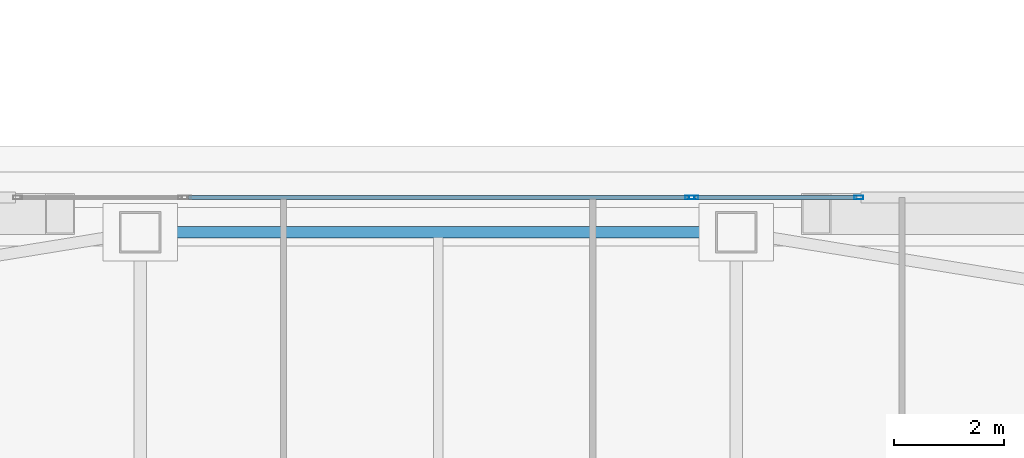
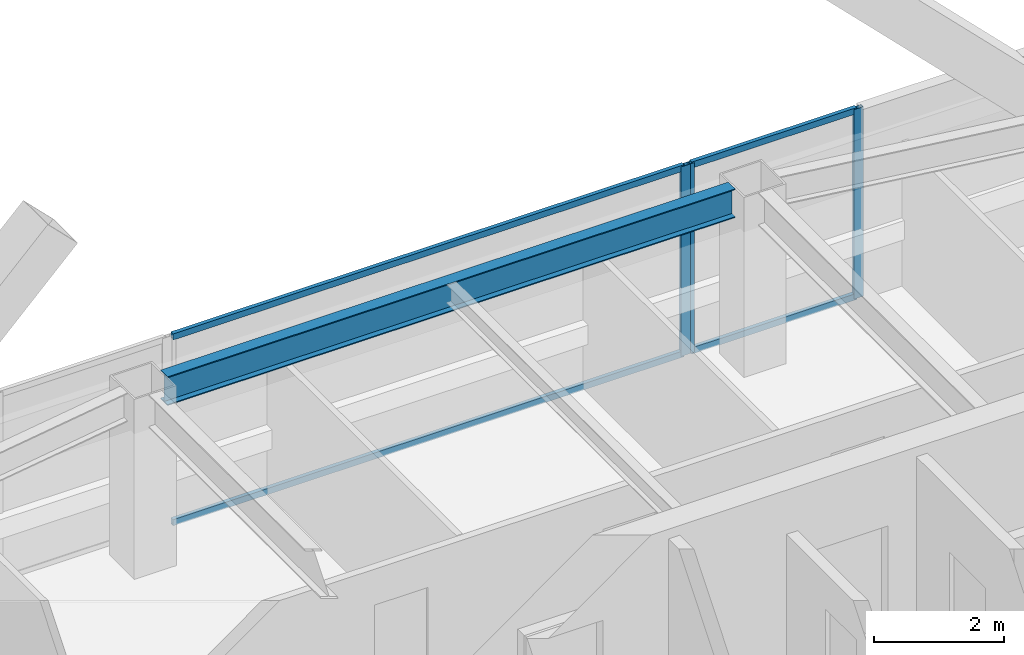
# One storey, part 13 of 39: 7 members, 1 beam, 2 elements without a shape of their own.
"""IFC4 building model written with IfcOpenShell, lengths in metres."""

from ifc_helpers import new_model, si_unit, direction, frame, origin, origin_2d, place, context, subcontext, project, spatial, hollow_rectangle, i_section, extrude, material, material_profile, profile_set, type_object, element, aggregate, save


model = new_model("IFC4")

# Units and contexts
model_context = context("Model", 3, precision=1e-05, world=origin(), true_north=direction((0.0, 1.0)))
body_context = subcontext(model_context, "Body", "Model", "MODEL_VIEW")
ifc_project = project(units=[si_unit("LENGTHUNIT", "METRE"), si_unit("AREAUNIT", "SQUARE_METRE"), si_unit("VOLUMEUNIT", "CUBIC_METRE"), si_unit("PLANEANGLEUNIT", "RADIAN"), si_unit("MASSUNIT", "GRAM", prefix="KILO")], contexts=[model_context])

# Site, building, storey
site_placement = place(None, origin())
site = spatial("IfcSite", under=ifc_project, at=site_placement, CompositionType="ELEMENT")
building_placement = place(site_placement, origin())
building = spatial("IfcBuilding", under=site, at=building_placement, Name="Tashvorn Skyway Center", CompositionType="ELEMENT")
storey_placement = place(building_placement, frame((0.0, 0.0, 232.60009765625)))
storey = spatial("IfcBuildingStorey", under=building, at=storey_placement, Name="L63", CompositionType="ELEMENT", Elevation=232.60009765625)

# Beam
ifc_material_1 = material(Name="Steel ASTM A992 Grade 50", Category="steel")
ifc_material_profile_1 = material_profile(ifc_material_1, i_section(OverallWidth=0.2109375, OverallDepth=0.5390625, WebThickness=0.01171875, FlangeThickness=0.018798828125, at=origin_2d()), Name="W21X73")
ifc_profile_set_1 = profile_set([ifc_material_profile_1], Name="Steel ASTM A992 Grade 50")
beam_type = type_object("IfcBeamType", Name="BM-SPANDREL-W21X73", PredefinedType="SPANDREL", material=ifc_profile_set_1)
beam_placement = place(storey_placement, frame((47.030029296875, 47.050048828125, 3.100341796875), z_axis=(-1.0, 0.0, 0.0), x_axis=(0.0, -1.0, 0.0)))
element("IfcBeam", 1, at=beam_placement, inside=storey, type_object=beam_type, Name="Tower 1 L63 Spandrel Beam 08", PredefinedType="SPANDREL", context=body_context, shape_type="SweptSolid", body=[
    extrude(i_section(OverallWidth=0.2109375, OverallDepth=0.5390625, WebThickness=0.01171875, FlangeThickness=0.018798828125, at=origin_2d()), origin(), (0.0, 0.0, 1.0), 10.06005859375),
])

# Curtain wall, member
ifc_material_2 = material(Name="Thermally broken bronze-anodized aluminium 6063-T6", Category="aluminium")
curtain_wall_type = type_object("IfcCurtainWallType", Name="CW-CW-Z5", PredefinedType="NOTDEFINED", material=ifc_material_2)
curtain_wall_1_placement = place(storey_placement, origin())
curtain_wall_1 = element("IfcCurtainWall", 2, at=curtain_wall_1_placement, inside=storey, type_object=curtain_wall_type, Name="Tower 1 L63 North Unitised Curtain Wall Glazing Group 2", PredefinedType="NOTDEFINED")
ifc_material_profile_2 = material_profile(ifc_material_2, hollow_rectangle(XDim=0.070068359375, YDim=0.1650390625, WallThickness=0.00390625, at=origin_2d()), Name="ALU-MULL-70x165")
ifc_profile_set_2 = profile_set([ifc_material_profile_2], Name="Thermally broken bronze-anodized aluminium 6063-T6")
member_type_1 = type_object("IfcMemberType", Name="CWM-CW-Z5", PredefinedType="MULLION", material=ifc_profile_set_2)
member_1_placement = place(storey_placement, frame((46.558349609375, 47.679931640625, 0.0), z_axis=(0.0, 0.0, 1.0), x_axis=(0.0, 1.0, 0.0)))
member_1 = element("IfcMember", 3, at=member_1_placement, type_object=member_type_1, Name="CW-Z5 mullion 2", PredefinedType="MULLION", context=body_context, shape_type="SweptSolid", body=[
    extrude(hollow_rectangle(XDim=0.070068359375, YDim=0.1650390625, WallThickness=0.00390625, at=origin_2d()), origin(), (0.0, 0.0, 1.0), 3.5498046875),
])

# Curtain wall, members
curtain_wall_2_placement = place(storey_placement, origin())
curtain_wall_2 = element("IfcCurtainWall", 4, at=curtain_wall_2_placement, inside=storey, type_object=curtain_wall_type, Name="Tower 1 L63 North Unitised Curtain Wall Glazing Group 3", PredefinedType="NOTDEFINED")
member_2_placement = place(storey_placement, frame((46.62841796875, 47.679931640625, 0.0), z_axis=(0.0, 0.0, 1.0), x_axis=(0.0, 1.0, 0.0)))
member_2 = element("IfcMember", 5, at=member_2_placement, type_object=member_type_1, Name="CW-Z5 mullion 1", PredefinedType="MULLION", context=body_context, shape_type="SweptSolid", body=[
    extrude(hollow_rectangle(XDim=0.070068359375, YDim=0.1650390625, WallThickness=0.00390625, at=origin_2d()), origin(), (0.0, 0.0, 1.0), 3.5498046875),
])
member_3_placement = place(storey_placement, frame((49.62060546875, 47.679931640625, 0.0), z_axis=(0.0, 0.0, 1.0), x_axis=(0.0, 1.0, 0.0)))
member_3 = element("IfcMember", 6, at=member_3_placement, type_object=member_type_1, Name="CW-Z5 mullion 2", PredefinedType="MULLION", context=body_context, shape_type="SweptSolid", body=[
    extrude(hollow_rectangle(XDim=0.070068359375, YDim=0.1650390625, WallThickness=0.00390625, at=origin_2d()), origin(), (0.0, 0.0, 1.0), 3.5498046875),
])

# Member
ifc_material_profile_3 = material_profile(ifc_material_2, hollow_rectangle(XDim=0.070068359375, YDim=0.114990234375, WallThickness=0.00390625, at=origin_2d()), Name="ALU-TRAN-70x115")
ifc_profile_set_3 = profile_set([ifc_material_profile_3], Name="Thermally broken bronze-anodized aluminium 6063-T6")
member_type_2 = type_object("IfcMemberType", Name="CWT-CW-Z5", PredefinedType="USERDEFINED", material=ifc_profile_set_3)
member_4_placement = place(storey_placement, frame((37.476806640625, 47.679931640625, 0.034912109375), z_axis=(1.0, 0.0, 0.0), x_axis=(0.0, 1.0, 0.0)))
member_4 = element("IfcMember", 7, at=member_4_placement, type_object=member_type_2, Name="CW-Z5 transom 1.1", ObjectType="TRANSOM", PredefinedType="USERDEFINED", context=body_context, shape_type="SweptSolid", body=[
    extrude(hollow_rectangle(XDim=0.070068359375, YDim=0.114990234375, WallThickness=0.00390625, at=origin_2d()), origin(), (0.0, 0.0, 1.0), 9.04638671875),
])

member_5_placement = place(storey_placement, frame((37.476806640625, 47.679931640625, 3.514892578125), z_axis=(1.0, 0.0, 0.0), x_axis=(0.0, 1.0, 0.0)))
member_5 = element("IfcMember", 8, at=member_5_placement, type_object=member_type_2, Name="CW-Z5 transom 1.2", ObjectType="TRANSOM", PredefinedType="USERDEFINED", context=body_context, shape_type="SweptSolid", body=[
    extrude(hollow_rectangle(XDim=0.070068359375, YDim=0.114990234375, WallThickness=0.00390625, at=origin_2d()), origin(), (0.0, 0.0, 1.0), 9.04638671875),
])

aggregate(curtain_wall_1, [member_1, member_4, member_5])

member_6_placement = place(storey_placement, frame((46.663330078125, 47.679931640625, 0.034912109375), z_axis=(1.0, 0.0, 0.0), x_axis=(0.0, 1.0, 0.0)))
member_6 = element("IfcMember", 9, at=member_6_placement, type_object=member_type_2, Name="CW-Z5 transom 1.1", ObjectType="TRANSOM", PredefinedType="USERDEFINED", context=body_context, shape_type="SweptSolid", body=[
    extrude(hollow_rectangle(XDim=0.070068359375, YDim=0.114990234375, WallThickness=0.00390625, at=origin_2d()), origin(), (0.0, 0.0, 1.0), 2.92236328125),
])

member_7_placement = place(storey_placement, frame((46.663330078125, 47.679931640625, 3.514892578125), z_axis=(1.0, 0.0, 0.0), x_axis=(0.0, 1.0, 0.0)))
member_7 = element("IfcMember", 10, at=member_7_placement, type_object=member_type_2, Name="CW-Z5 transom 1.2", ObjectType="TRANSOM", PredefinedType="USERDEFINED", context=body_context, shape_type="SweptSolid", body=[
    extrude(hollow_rectangle(XDim=0.070068359375, YDim=0.114990234375, WallThickness=0.00390625, at=origin_2d()), origin(), (0.0, 0.0, 1.0), 2.92236328125),
])

aggregate(curtain_wall_2, [member_2, member_3, member_6, member_7])

save(model, "model.ifc")
